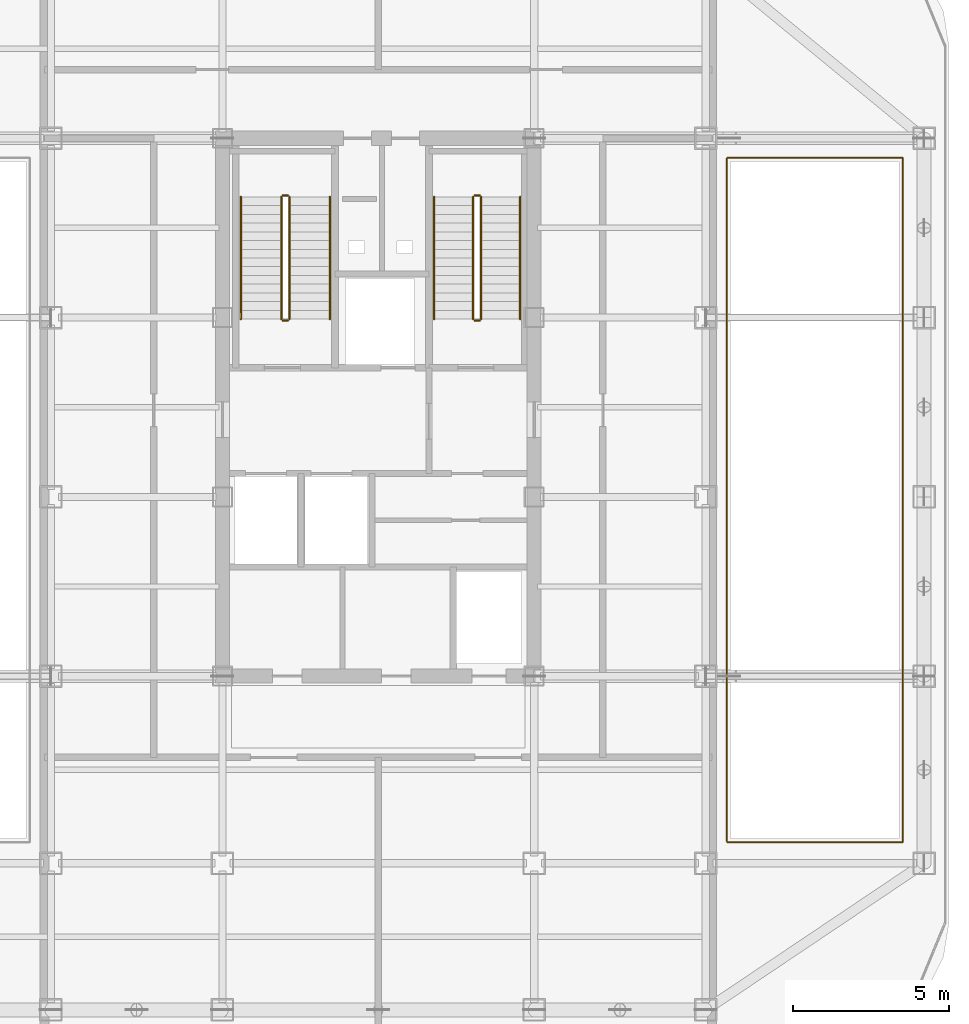
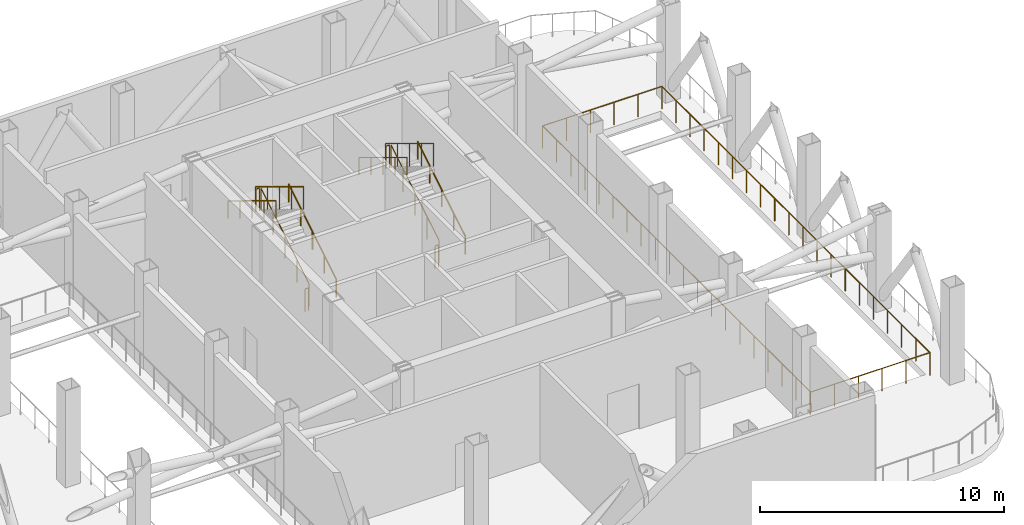
# One storey, part 10 of 10: 13 railings.
"""IFC4 building model written with IfcOpenShell, lengths in metres."""

from ifc_helpers import new_model, si_unit, direction, frame, origin, origin_2d, place, context, subcontext, project, spatial, circle, extrude, material, type_object, element, save


model = new_model("IFC4")

# Units and contexts
model_context = context("Model", 3, precision=1e-05, world=origin(), true_north=direction((0.0, 1.0)))
body_context = subcontext(model_context, "Body", "Model", "MODEL_VIEW")
ifc_project = project(units=[si_unit("LENGTHUNIT", "METRE"), si_unit("AREAUNIT", "SQUARE_METRE"), si_unit("VOLUMEUNIT", "CUBIC_METRE"), si_unit("PLANEANGLEUNIT", "RADIAN"), si_unit("MASSUNIT", "GRAM", prefix="KILO")], contexts=[model_context])

# Site, building, storey
site_placement = place(None, origin())
site = spatial("IfcSite", under=ifc_project, at=site_placement, CompositionType="ELEMENT")
building_placement = place(site_placement, origin())
building = spatial("IfcBuilding", under=site, at=building_placement, Name="Kolveth Station Tower", CompositionType="ELEMENT")
storey_placement = place(building_placement, frame((0.0, 0.0, 188.10009765625)))
storey = spatial("IfcBuildingStorey", under=building, at=storey_placement, Name="L53", CompositionType="ELEMENT", Elevation=188.10009765625)

# Railings
ifc_material_1 = material(Name="Painted Steel S355 balustrade", Category="steel")
railing_type_1 = type_object("IfcRailingType", Name="Guard_GR2", PredefinedType="BALUSTRADE", material=ifc_material_1)
railing_1_placement = place(storey_placement, frame((34.679931640625, 6.179931640625, 0.0)))
element("IfcRailing", 1, at=railing_1_placement, inside=storey, type_object=railing_type_1, Name="L53 Wind-Slot Venturi Opening Guard 2", PredefinedType="BALUSTRADE", context=body_context, shape_type="SweptSolid", body=[
    extrude(circle(Radius=0.02392578125, at=origin_2d()), frame((0.0, 0.0, 1.1259765625), z_axis=(1.0, 0.0, 0.0), x_axis=(0.0, 1.0, 0.0)), (0.0, 0.0, 1.0), 5.64013671875),
    extrude(circle(Radius=0.02392578125, at=origin_2d()), frame((5.64013671875, 0.0, 1.1259765625), z_axis=(0.0, 1.0, 0.0), x_axis=(-1.0, 0.0, 0.0)), (0.0, 0.0, 1.0), 21.940185546875),
    extrude(circle(Radius=0.02392578125, at=origin_2d()), frame((5.64013671875, 21.940185546875, 1.1259765625), z_axis=(-1.0, 0.0, 0.0), x_axis=(0.0, -1.0, 0.0)), (0.0, 0.0, 1.0), 5.64013671875),
    extrude(circle(Radius=0.02392578125, at=origin_2d()), frame((0.0, 21.940185546875, 1.1259765625), z_axis=(0.0, -1.0, 0.0), x_axis=(1.0, 0.0, 0.0)), (0.0, 0.0, 1.0), 21.915283203125),
    extrude(circle(Radius=0.02099609375, at=origin_2d()), origin(), (0.0, 0.0, 1.0), 1.101806640625),
    extrude(circle(Radius=0.02099609375, at=origin_2d()), frame((1.1279296875, 0.0, 0.0)), (0.0, 0.0, 1.0), 1.101806640625),
    extrude(circle(Radius=0.02099609375, at=origin_2d()), frame((2.256103515625, 0.0, 0.0)), (0.0, 0.0, 1.0), 1.101806640625),
    extrude(circle(Radius=0.02099609375, at=origin_2d()), frame((3.384033203125, 0.0, 0.0)), (0.0, 0.0, 1.0), 1.101806640625),
    extrude(circle(Radius=0.02099609375, at=origin_2d()), frame((4.51220703125, 0.0, 0.0)), (0.0, 0.0, 1.0), 1.101806640625),
    extrude(circle(Radius=0.02099609375, at=origin_2d()), frame((5.64013671875, 0.0, 0.0)), (0.0, 0.0, 1.0), 1.101806640625),
    extrude(circle(Radius=0.02099609375, at=origin_2d()), frame((5.64013671875, 1.15478515625, 0.0)), (0.0, 0.0, 1.0), 1.101806640625),
    extrude(circle(Radius=0.02099609375, at=origin_2d()), frame((5.64013671875, 2.3095703125, 0.0)), (0.0, 0.0, 1.0), 1.101806640625),
    extrude(circle(Radius=0.02099609375, at=origin_2d()), frame((5.64013671875, 3.46435546875, 0.0)), (0.0, 0.0, 1.0), 1.101806640625),
    extrude(circle(Radius=0.02099609375, at=origin_2d()), frame((5.64013671875, 4.618896484375, 0.0)), (0.0, 0.0, 1.0), 1.101806640625),
    extrude(circle(Radius=0.02099609375, at=origin_2d()), frame((5.64013671875, 5.773681640625, 0.0)), (0.0, 0.0, 1.0), 1.101806640625),
    extrude(circle(Radius=0.02099609375, at=origin_2d()), frame((5.64013671875, 6.928466796875, 0.0)), (0.0, 0.0, 1.0), 1.101806640625),
    extrude(circle(Radius=0.02099609375, at=origin_2d()), frame((5.64013671875, 8.083251953125, 0.0)), (0.0, 0.0, 1.0), 1.101806640625),
    extrude(circle(Radius=0.02099609375, at=origin_2d()), frame((5.64013671875, 9.238037109375, 0.0)), (0.0, 0.0, 1.0), 1.101806640625),
    extrude(circle(Radius=0.02099609375, at=origin_2d()), frame((5.64013671875, 10.392822265625, 0.0)), (0.0, 0.0, 1.0), 1.101806640625),
    extrude(circle(Radius=0.02099609375, at=origin_2d()), frame((5.64013671875, 11.54736328125, 0.0)), (0.0, 0.0, 1.0), 1.101806640625),
    extrude(circle(Radius=0.02099609375, at=origin_2d()), frame((5.64013671875, 12.7021484375, 0.0)), (0.0, 0.0, 1.0), 1.101806640625),
    extrude(circle(Radius=0.02099609375, at=origin_2d()), frame((5.64013671875, 13.85693359375, 0.0)), (0.0, 0.0, 1.0), 1.101806640625),
    extrude(circle(Radius=0.02099609375, at=origin_2d()), frame((5.64013671875, 15.01171875, 0.0)), (0.0, 0.0, 1.0), 1.101806640625),
    extrude(circle(Radius=0.02099609375, at=origin_2d()), frame((5.64013671875, 16.16650390625, 0.0)), (0.0, 0.0, 1.0), 1.101806640625),
    extrude(circle(Radius=0.02099609375, at=origin_2d()), frame((5.64013671875, 17.3212890625, 0.0)), (0.0, 0.0, 1.0), 1.101806640625),
    extrude(circle(Radius=0.02099609375, at=origin_2d()), frame((5.64013671875, 18.475830078125, 0.0)), (0.0, 0.0, 1.0), 1.101806640625),
    extrude(circle(Radius=0.02099609375, at=origin_2d()), frame((5.64013671875, 19.630615234375, 0.0)), (0.0, 0.0, 1.0), 1.101806640625),
    extrude(circle(Radius=0.02099609375, at=origin_2d()), frame((5.64013671875, 20.785400390625, 0.0)), (0.0, 0.0, 1.0), 1.101806640625),
    extrude(circle(Radius=0.02099609375, at=origin_2d()), frame((5.64013671875, 21.940185546875, 0.0)), (0.0, 0.0, 1.0), 1.101806640625),
    extrude(circle(Radius=0.02099609375, at=origin_2d()), frame((4.51220703125, 21.940185546875, 0.0)), (0.0, 0.0, 1.0), 1.101806640625),
    extrude(circle(Radius=0.02099609375, at=origin_2d()), frame((3.384033203125, 21.940185546875, 0.0)), (0.0, 0.0, 1.0), 1.101806640625),
    extrude(circle(Radius=0.02099609375, at=origin_2d()), frame((2.256103515625, 21.940185546875, 0.0)), (0.0, 0.0, 1.0), 1.101806640625),
    extrude(circle(Radius=0.02099609375, at=origin_2d()), frame((1.1279296875, 21.940185546875, 0.0)), (0.0, 0.0, 1.0), 1.101806640625),
    extrude(circle(Radius=0.02099609375, at=origin_2d()), frame((0.0, 21.940185546875, 0.0)), (0.0, 0.0, 1.0), 1.101806640625),
    extrude(circle(Radius=0.02099609375, at=origin_2d()), frame((0.0, 20.786865234375, 0.0)), (0.0, 0.0, 1.0), 1.101806640625),
    extrude(circle(Radius=0.02099609375, at=origin_2d()), frame((0.0, 19.63330078125, 0.0)), (0.0, 0.0, 1.0), 1.101806640625),
    extrude(circle(Radius=0.02099609375, at=origin_2d()), frame((0.0, 18.47998046875, 0.0)), (0.0, 0.0, 1.0), 1.101806640625),
    extrude(circle(Radius=0.02099609375, at=origin_2d()), frame((0.0, 17.326416015625, 0.0)), (0.0, 0.0, 1.0), 1.101806640625),
    extrude(circle(Radius=0.02099609375, at=origin_2d()), frame((0.0, 16.173095703125, 0.0)), (0.0, 0.0, 1.0), 1.101806640625),
    extrude(circle(Radius=0.02099609375, at=origin_2d()), frame((0.0, 15.01953125, 0.0)), (0.0, 0.0, 1.0), 1.101806640625),
    extrude(circle(Radius=0.02099609375, at=origin_2d()), frame((0.0, 13.8662109375, 0.0)), (0.0, 0.0, 1.0), 1.101806640625),
    extrude(circle(Radius=0.02099609375, at=origin_2d()), frame((0.0, 12.712646484375, 0.0)), (0.0, 0.0, 1.0), 1.101806640625),
    extrude(circle(Radius=0.02099609375, at=origin_2d()), frame((0.0, 11.559326171875, 0.0)), (0.0, 0.0, 1.0), 1.101806640625),
    extrude(circle(Radius=0.02099609375, at=origin_2d()), frame((0.0, 10.40576171875, 0.0)), (0.0, 0.0, 1.0), 1.101806640625),
    extrude(circle(Radius=0.02099609375, at=origin_2d()), frame((0.0, 9.25244140625, 0.0)), (0.0, 0.0, 1.0), 1.101806640625),
    extrude(circle(Radius=0.02099609375, at=origin_2d()), frame((0.0, 8.098876953125, 0.0)), (0.0, 0.0, 1.0), 1.101806640625),
    extrude(circle(Radius=0.02099609375, at=origin_2d()), frame((0.0, 6.945556640625, 0.0)), (0.0, 0.0, 1.0), 1.101806640625),
    extrude(circle(Radius=0.02099609375, at=origin_2d()), frame((0.0, 5.7919921875, 0.0)), (0.0, 0.0, 1.0), 1.101806640625),
    extrude(circle(Radius=0.02099609375, at=origin_2d()), frame((0.0, 4.638671875, 0.0)), (0.0, 0.0, 1.0), 1.101806640625),
    extrude(circle(Radius=0.02099609375, at=origin_2d()), frame((0.0, 3.485107421875, 0.0)), (0.0, 0.0, 1.0), 1.101806640625),
    extrude(circle(Radius=0.02099609375, at=origin_2d()), frame((0.0, 2.331787109375, 0.0)), (0.0, 0.0, 1.0), 1.101806640625),
    extrude(circle(Radius=0.02099609375, at=origin_2d()), frame((0.0, 1.17822265625, 0.0)), (0.0, 0.0, 1.0), 1.101806640625),
    extrude(circle(Radius=0.02099609375, at=origin_2d()), frame((0.0, 0.02490234375, 0.0)), (0.0, 0.0, 1.0), 1.101806640625),
])
railing_2_placement = place(storey_placement, frame((20.64990234375, 22.949951171875, 0.169921875)))
element("IfcRailing", 2, at=railing_2_placement, inside=storey, type_object=railing_type_1, Name="L53 ST1 stair guard 1", PredefinedType="BALUSTRADE", context=body_context, shape_type="SweptSolid", body=[
    extrude(circle(Radius=0.02392578125, at=origin_2d()), frame((0.0, 0.0, 1.1259765625), z_axis=(0.0, 0.854808600491, 0.518943403973), x_axis=(-1.0, 0.0, 0.0)), (0.0, 0.0, 1.0), 4.5859375),
    extrude(circle(Radius=0.02099609375, at=origin_2d()), origin(), (0.0, 0.0, 1.0), 1.101806640625),
    extrude(circle(Radius=0.02099609375, at=origin_2d()), frame((0.0, 0.97998046875, 0.594970703125)), (0.0, 0.0, 1.0), 1.101806640625),
    extrude(circle(Radius=0.02099609375, at=origin_2d()), frame((0.0, 1.9599609375, 1.18994140625)), (0.0, 0.0, 1.0), 1.101806640625),
    extrude(circle(Radius=0.02099609375, at=origin_2d()), frame((0.0, 2.940185546875, 1.784912109375)), (0.0, 0.0, 1.0), 1.101806640625),
    extrude(circle(Radius=0.02099609375, at=origin_2d()), frame((0.0, 3.920166015625, 2.3798828125)), (0.0, 0.0, 1.0), 1.101806640625),
])
railing_3_placement = place(storey_placement, frame((20.60009765625, 26.919921875, 2.5498046875)))
element("IfcRailing", 3, at=railing_3_placement, inside=storey, type_object=railing_type_1, Name="L53 ST1 stair guard 2", PredefinedType="BALUSTRADE", context=body_context, shape_type="SweptSolid", body=[
    extrude(circle(Radius=0.02392578125, at=origin_2d()), frame((0.0, 0.0, 1.1259765625), z_axis=(-1.0, 0.0, 0.0), x_axis=(0.0, -1.0, 0.0)), (0.0, 0.0, 1.0), 0.16015625),
    extrude(circle(Radius=0.02099609375, at=origin_2d()), origin(), (0.0, 0.0, 1.0), 1.101806640625),
    extrude(circle(Radius=0.02099609375, at=origin_2d()), frame((-0.16015625, 0.0, 0.0)), (0.0, 0.0, 1.0), 1.101806640625),
])
railing_4_placement = place(storey_placement, frame((20.389892578125, 26.8701171875, 2.719970703125)))
element("IfcRailing", 4, at=railing_4_placement, inside=storey, type_object=railing_type_1, Name="L53 ST1 stair guard 3", PredefinedType="BALUSTRADE", context=body_context, shape_type="SweptSolid", body=[
    extrude(circle(Radius=0.02392578125, at=origin_2d()), frame((0.0, 0.0, 1.1259765625), z_axis=(0.0, -0.854808600491, 0.518943403973), x_axis=(1.0, 0.0, 0.0)), (0.0, 0.0, 1.0), 4.5859375),
    extrude(circle(Radius=0.02099609375, at=origin_2d()), origin(), (0.0, 0.0, 1.0), 1.101806640625),
    extrude(circle(Radius=0.02099609375, at=origin_2d()), frame((0.0, -0.97998046875, 0.594970703125)), (0.0, 0.0, 1.0), 1.101806640625),
    extrude(circle(Radius=0.02099609375, at=origin_2d()), frame((0.0, -1.9599609375, 1.18994140625)), (0.0, 0.0, 1.0), 1.101806640625),
    extrude(circle(Radius=0.02099609375, at=origin_2d()), frame((0.0, -2.940185546875, 1.784912109375)), (0.0, 0.0, 1.0), 1.101806640625),
    extrude(circle(Radius=0.02099609375, at=origin_2d()), frame((0.0, -3.920166015625, 2.3798828125)), (0.0, 0.0, 1.0), 1.101806640625),
])
railing_5_placement = place(storey_placement, frame((20.60009765625, 22.89990234375, 0.0)))
element("IfcRailing", 5, at=railing_5_placement, inside=storey, type_object=railing_type_1, Name="L53 ST1 stair guard 4", PredefinedType="BALUSTRADE", context=body_context, shape_type="SweptSolid", body=[
    extrude(circle(Radius=0.02392578125, at=origin_2d()), frame((0.0, 0.0, 1.1259765625), z_axis=(-1.0, 0.0, 0.0), x_axis=(0.0, -1.0, 0.0)), (0.0, 0.0, 1.0), 0.16015625),
    extrude(circle(Radius=0.02099609375, at=origin_2d()), origin(), (0.0, 0.0, 1.0), 1.101806640625),
    extrude(circle(Radius=0.02099609375, at=origin_2d()), frame((-0.16015625, 0.0, 0.0)), (0.0, 0.0, 1.0), 1.101806640625),
])
railing_6_placement = place(storey_placement, frame((26.800048828125, 22.949951171875, 0.169921875)))
element("IfcRailing", 6, at=railing_6_placement, inside=storey, type_object=railing_type_1, Name="L53 ST2 stair guard 1", PredefinedType="BALUSTRADE", context=body_context, shape_type="SweptSolid", body=[
    extrude(circle(Radius=0.02392578125, at=origin_2d()), frame((0.0, 0.0, 1.1259765625), z_axis=(0.0, 0.854808600491, 0.518943403973), x_axis=(-1.0, 0.0, 0.0)), (0.0, 0.0, 1.0), 4.5859375),
    extrude(circle(Radius=0.02099609375, at=origin_2d()), origin(), (0.0, 0.0, 1.0), 1.101806640625),
    extrude(circle(Radius=0.02099609375, at=origin_2d()), frame((0.0, 0.97998046875, 0.594970703125)), (0.0, 0.0, 1.0), 1.101806640625),
    extrude(circle(Radius=0.02099609375, at=origin_2d()), frame((0.0, 1.9599609375, 1.18994140625)), (0.0, 0.0, 1.0), 1.101806640625),
    extrude(circle(Radius=0.02099609375, at=origin_2d()), frame((0.0, 2.940185546875, 1.784912109375)), (0.0, 0.0, 1.0), 1.101806640625),
    extrude(circle(Radius=0.02099609375, at=origin_2d()), frame((0.0, 3.920166015625, 2.3798828125)), (0.0, 0.0, 1.0), 1.101806640625),
])
railing_7_placement = place(storey_placement, frame((26.75, 26.919921875, 2.5498046875)))
element("IfcRailing", 7, at=railing_7_placement, inside=storey, type_object=railing_type_1, Name="L53 ST2 stair guard 2", PredefinedType="BALUSTRADE", context=body_context, shape_type="SweptSolid", body=[
    extrude(circle(Radius=0.02392578125, at=origin_2d()), frame((0.0, 0.0, 1.1259765625), z_axis=(-1.0, 0.0, 0.0), x_axis=(0.0, -1.0, 0.0)), (0.0, 0.0, 1.0), 0.159912109375),
    extrude(circle(Radius=0.02099609375, at=origin_2d()), origin(), (0.0, 0.0, 1.0), 1.101806640625),
    extrude(circle(Radius=0.02099609375, at=origin_2d()), frame((-0.159912109375, 0.0, 0.0)), (0.0, 0.0, 1.0), 1.101806640625),
])
railing_8_placement = place(storey_placement, frame((26.5400390625, 26.8701171875, 2.719970703125)))
element("IfcRailing", 8, at=railing_8_placement, inside=storey, type_object=railing_type_1, Name="L53 ST2 stair guard 3", PredefinedType="BALUSTRADE", context=body_context, shape_type="SweptSolid", body=[
    extrude(circle(Radius=0.02392578125, at=origin_2d()), frame((0.0, 0.0, 1.1259765625), z_axis=(0.0, -0.854808600491, 0.518943403973), x_axis=(1.0, 0.0, 0.0)), (0.0, 0.0, 1.0), 4.5859375),
    extrude(circle(Radius=0.02099609375, at=origin_2d()), origin(), (0.0, 0.0, 1.0), 1.101806640625),
    extrude(circle(Radius=0.02099609375, at=origin_2d()), frame((0.0, -0.97998046875, 0.594970703125)), (0.0, 0.0, 1.0), 1.101806640625),
    extrude(circle(Radius=0.02099609375, at=origin_2d()), frame((0.0, -1.9599609375, 1.18994140625)), (0.0, 0.0, 1.0), 1.101806640625),
    extrude(circle(Radius=0.02099609375, at=origin_2d()), frame((0.0, -2.940185546875, 1.784912109375)), (0.0, 0.0, 1.0), 1.101806640625),
    extrude(circle(Radius=0.02099609375, at=origin_2d()), frame((0.0, -3.920166015625, 2.3798828125)), (0.0, 0.0, 1.0), 1.101806640625),
])
railing_9_placement = place(storey_placement, frame((26.75, 22.89990234375, 0.0)))
element("IfcRailing", 9, at=railing_9_placement, inside=storey, type_object=railing_type_1, Name="L53 ST2 stair guard 4", PredefinedType="BALUSTRADE", context=body_context, shape_type="SweptSolid", body=[
    extrude(circle(Radius=0.02392578125, at=origin_2d()), frame((0.0, 0.0, 1.1259765625), z_axis=(-1.0, 0.0, 0.0), x_axis=(0.0, -1.0, 0.0)), (0.0, 0.0, 1.0), 0.159912109375),
    extrude(circle(Radius=0.02099609375, at=origin_2d()), origin(), (0.0, 0.0, 1.0), 1.101806640625),
    extrude(circle(Radius=0.02099609375, at=origin_2d()), frame((-0.159912109375, 0.0, 0.0)), (0.0, 0.0, 1.0), 1.101806640625),
])
ifc_material_2 = material(Name="Brushed stainless steel", Category="steel")
railing_type_2 = type_object("IfcRailingType", Name="Handrail_HR1", PredefinedType="HANDRAIL", material=ifc_material_2)
railing_10_placement = place(storey_placement, frame((21.949951171875, 22.949951171875, 0.169921875)))
element("IfcRailing", 10, at=railing_10_placement, inside=storey, type_object=railing_type_2, Name="L53 ST1 stair handrail 1", PredefinedType="HANDRAIL", context=body_context, shape_type="SweptSolid", body=[
    extrude(circle(Radius=0.02392578125, at=origin_2d()), frame((0.0, 0.0, 0.8759765625), z_axis=(0.0, 0.854808600491, 0.518943403973), x_axis=(-1.0, 0.0, 0.0)), (0.0, 0.0, 1.0), 4.5859375),
    extrude(circle(Radius=0.02099609375, at=origin_2d()), origin(), (0.0, 0.0, 1.0), 0.851806640625),
    extrude(circle(Radius=0.02099609375, at=origin_2d()), frame((0.0, 0.97998046875, 0.594970703125)), (0.0, 0.0, 1.0), 0.851806640625),
    extrude(circle(Radius=0.02099609375, at=origin_2d()), frame((0.0, 1.9599609375, 1.18994140625)), (0.0, 0.0, 1.0), 0.851806640625),
    extrude(circle(Radius=0.02099609375, at=origin_2d()), frame((0.0, 2.940185546875, 1.784912109375)), (0.0, 0.0, 1.0), 0.851806640625),
    extrude(circle(Radius=0.02099609375, at=origin_2d()), frame((0.0, 3.920166015625, 2.3798828125)), (0.0, 0.0, 1.0), 0.851806640625),
])
railing_11_placement = place(storey_placement, frame((19.090087890625, 26.8701171875, 2.719970703125)))
element("IfcRailing", 11, at=railing_11_placement, inside=storey, type_object=railing_type_2, Name="L53 ST1 stair handrail 2", PredefinedType="HANDRAIL", context=body_context, shape_type="SweptSolid", body=[
    extrude(circle(Radius=0.02392578125, at=origin_2d()), frame((0.0, 0.0, 0.8759765625), z_axis=(0.0, -0.854808600491, 0.518943403973), x_axis=(1.0, 0.0, 0.0)), (0.0, 0.0, 1.0), 4.5859375),
    extrude(circle(Radius=0.02099609375, at=origin_2d()), origin(), (0.0, 0.0, 1.0), 0.851806640625),
    extrude(circle(Radius=0.02099609375, at=origin_2d()), frame((0.0, -0.97998046875, 0.594970703125)), (0.0, 0.0, 1.0), 0.851806640625),
    extrude(circle(Radius=0.02099609375, at=origin_2d()), frame((0.0, -1.9599609375, 1.18994140625)), (0.0, 0.0, 1.0), 0.851806640625),
    extrude(circle(Radius=0.02099609375, at=origin_2d()), frame((0.0, -2.940185546875, 1.784912109375)), (0.0, 0.0, 1.0), 0.851806640625),
    extrude(circle(Radius=0.02099609375, at=origin_2d()), frame((0.0, -3.920166015625, 2.3798828125)), (0.0, 0.0, 1.0), 0.851806640625),
])
railing_12_placement = place(storey_placement, frame((28.050048828125, 22.949951171875, 0.169921875)))
element("IfcRailing", 12, at=railing_12_placement, inside=storey, type_object=railing_type_2, Name="L53 ST2 stair handrail 1", PredefinedType="HANDRAIL", context=body_context, shape_type="SweptSolid", body=[
    extrude(circle(Radius=0.02392578125, at=origin_2d()), frame((0.0, 0.0, 0.8759765625), z_axis=(0.0, 0.854808600491, 0.518943403973), x_axis=(-1.0, 0.0, 0.0)), (0.0, 0.0, 1.0), 4.5859375),
    extrude(circle(Radius=0.02099609375, at=origin_2d()), origin(), (0.0, 0.0, 1.0), 0.851806640625),
    extrude(circle(Radius=0.02099609375, at=origin_2d()), frame((0.0, 0.97998046875, 0.594970703125)), (0.0, 0.0, 1.0), 0.851806640625),
    extrude(circle(Radius=0.02099609375, at=origin_2d()), frame((0.0, 1.9599609375, 1.18994140625)), (0.0, 0.0, 1.0), 0.851806640625),
    extrude(circle(Radius=0.02099609375, at=origin_2d()), frame((0.0, 2.940185546875, 1.784912109375)), (0.0, 0.0, 1.0), 0.851806640625),
    extrude(circle(Radius=0.02099609375, at=origin_2d()), frame((0.0, 3.920166015625, 2.3798828125)), (0.0, 0.0, 1.0), 0.851806640625),
])
railing_13_placement = place(storey_placement, frame((25.2900390625, 26.8701171875, 2.719970703125)))
element("IfcRailing", 13, at=railing_13_placement, inside=storey, type_object=railing_type_2, Name="L53 ST2 stair handrail 2", PredefinedType="HANDRAIL", context=body_context, shape_type="SweptSolid", body=[
    extrude(circle(Radius=0.02392578125, at=origin_2d()), frame((0.0, 0.0, 0.8759765625), z_axis=(0.0, -0.854808600491, 0.518943403973), x_axis=(1.0, 0.0, 0.0)), (0.0, 0.0, 1.0), 4.5859375),
    extrude(circle(Radius=0.02099609375, at=origin_2d()), origin(), (0.0, 0.0, 1.0), 0.851806640625),
    extrude(circle(Radius=0.02099609375, at=origin_2d()), frame((0.0, -0.97998046875, 0.594970703125)), (0.0, 0.0, 1.0), 0.851806640625),
    extrude(circle(Radius=0.02099609375, at=origin_2d()), frame((0.0, -1.9599609375, 1.18994140625)), (0.0, 0.0, 1.0), 0.851806640625),
    extrude(circle(Radius=0.02099609375, at=origin_2d()), frame((0.0, -2.940185546875, 1.784912109375)), (0.0, 0.0, 1.0), 0.851806640625),
    extrude(circle(Radius=0.02099609375, at=origin_2d()), frame((0.0, -3.920166015625, 2.3798828125)), (0.0, 0.0, 1.0), 0.851806640625),
])

save(model, "model.ifc")
